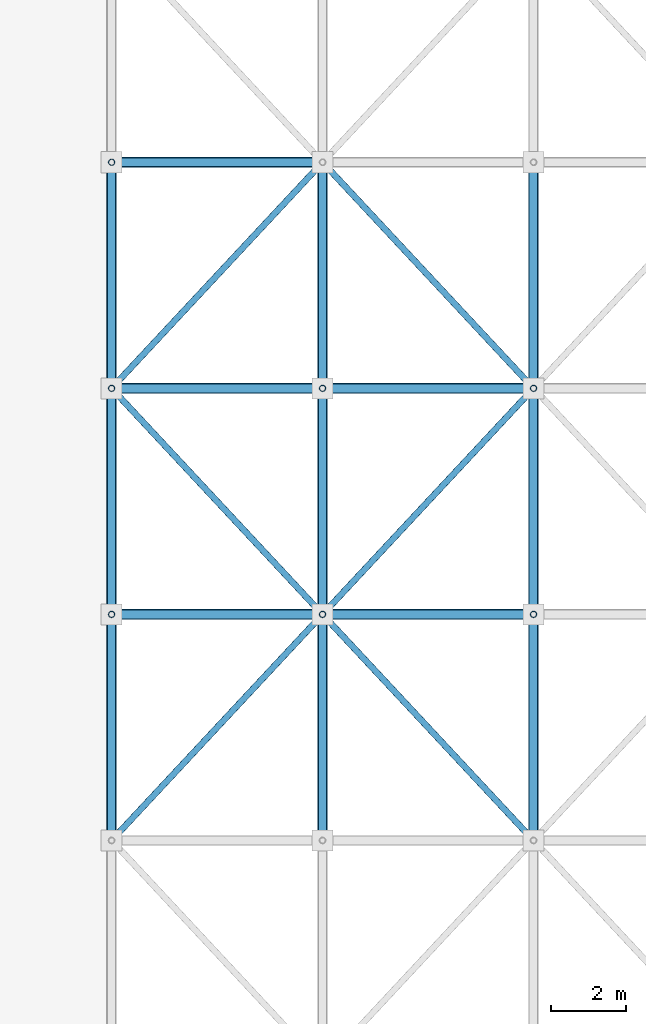
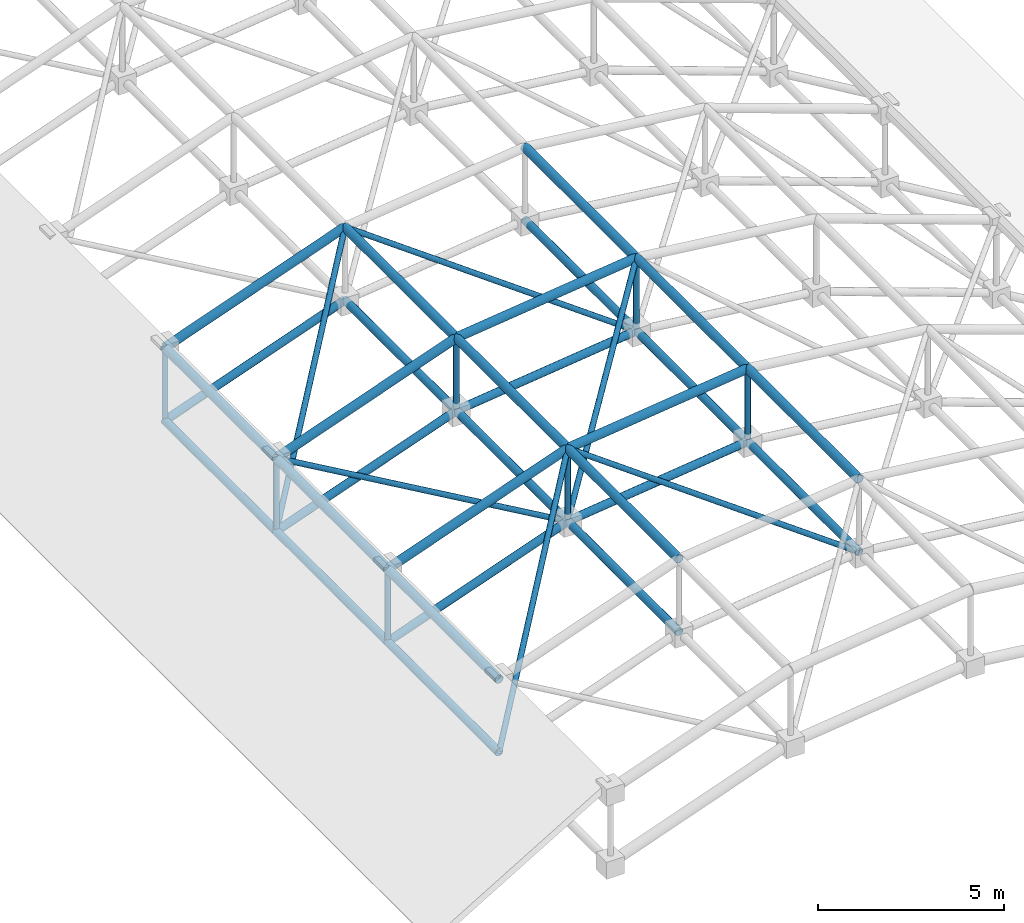
# One storey, part 87 of 140: 41 members.
"""IFC4 building model written with IfcOpenShell, lengths in metres."""

from ifc_helpers import new_model, si_unit, direction, frame, origin, origin_2d, place, context, subcontext, project, spatial, hollow_circle, extrude, material, material_profile, profile_set, type_object, element, save


model = new_model("IFC4")

# Units and contexts
model_context = context("Model", 3, precision=1e-05, world=origin(), true_north=direction((0.0, 1.0)))
body_context = subcontext(model_context, "Body", "Model", "MODEL_VIEW")
ifc_project = project(units=[si_unit("LENGTHUNIT", "METRE"), si_unit("AREAUNIT", "SQUARE_METRE"), si_unit("VOLUMEUNIT", "CUBIC_METRE"), si_unit("PLANEANGLEUNIT", "RADIAN"), si_unit("MASSUNIT", "GRAM", prefix="KILO")], contexts=[model_context])

# Site, building, storey
site_placement = place(None, origin())
site = spatial("IfcSite", under=ifc_project, at=site_placement, CompositionType="ELEMENT")
building_placement = place(site_placement, origin())
building = spatial("IfcBuilding", under=site, at=building_placement, Name="Trelvath General Hospital", CompositionType="ELEMENT")
storey_placement = place(building_placement, frame((0.0, 0.0, 16.199951171875)))
storey = spatial("IfcBuildingStorey", under=building, at=storey_placement, Name="L04", CompositionType="ELEMENT", Elevation=16.199951171875)

# Members
ifc_material_1 = material(Name="Steel S355", Category="steel")
ifc_material_profile_1 = material_profile(ifc_material_1, hollow_circle(Radius=0.122314453125, WallThickness=0.010009765625, at=origin_2d()), Name="CHS244.5x10.0")
ifc_profile_set_1 = profile_set([ifc_material_profile_1], Name="Steel S355")
member_type_1 = type_object("IfcMemberType", Name="SpaceFrameBottomChord CHS244", PredefinedType="CHORD", material=ifc_profile_set_1)
member_1_placement = place(storey_placement, frame((148.39990234375, 31.199951171875, 0.033447265625), z_axis=(0.0, 1.0, 0.0), x_axis=(-1.0, 0.0, 0.0)))
element("IfcMember", 1, at=member_1_placement, inside=storey, type_object=member_type_1, Name="Space Frame Bottom Chord Y 2-2", PredefinedType="CHORD", context=body_context, shape_type="SweptSolid", body=[
    extrude(hollow_circle(Radius=0.122314453125, WallThickness=0.010009765625, at=origin_2d()), origin(), (0.0, 0.0, 1.0), 6.0),
])
member_2_placement = place(storey_placement, frame((148.39990234375, 37.199951171875, 0.033447265625), z_axis=(0.94174376932, 0.0, 0.336331195321), x_axis=(0.0, 1.0, 0.0)))
element("IfcMember", 2, at=member_2_placement, inside=storey, type_object=member_type_1, Name="Space Frame Bottom Chord X 2-3", PredefinedType="CHORD", context=body_context, shape_type="SweptSolid", body=[
    extrude(hollow_circle(Radius=0.122314453125, WallThickness=0.010009765625, at=origin_2d()), origin(), (0.0, 0.0, 1.0), 5.946533203125),
])
member_3_placement = place(storey_placement, frame((148.39990234375, 37.199951171875, 0.033447265625), z_axis=(0.0, 1.0, 0.0), x_axis=(-1.0, 0.0, 0.0)))
element("IfcMember", 3, at=member_3_placement, inside=storey, type_object=member_type_1, Name="Space Frame Bottom Chord Y 2-3", PredefinedType="CHORD", context=body_context, shape_type="SweptSolid", body=[
    extrude(hollow_circle(Radius=0.122314453125, WallThickness=0.010009765625, at=origin_2d()), origin(), (0.0, 0.0, 1.0), 6.0),
])
member_4_placement = place(storey_placement, frame((148.39990234375, 43.199951171875, 0.033447265625), z_axis=(0.94174376932, 0.0, 0.336331195321), x_axis=(0.0, 1.0, 0.0)))
element("IfcMember", 4, at=member_4_placement, inside=storey, type_object=member_type_1, Name="Space Frame Bottom Chord X 2-4", PredefinedType="CHORD", context=body_context, shape_type="SweptSolid", body=[
    extrude(hollow_circle(Radius=0.122314453125, WallThickness=0.010009765625, at=origin_2d()), origin(), (0.0, 0.0, 1.0), 5.946533203125),
])
member_5_placement = place(storey_placement, frame((148.39990234375, 43.199951171875, 0.033447265625), z_axis=(0.0, 1.0, 0.0), x_axis=(-1.0, 0.0, 0.0)))
element("IfcMember", 5, at=member_5_placement, inside=storey, type_object=member_type_1, Name="Space Frame Bottom Chord Y 2-4", PredefinedType="CHORD", context=body_context, shape_type="SweptSolid", body=[
    extrude(hollow_circle(Radius=0.122314453125, WallThickness=0.010009765625, at=origin_2d()), origin(), (0.0, 0.0, 1.0), 6.0),
])
member_6_placement = place(storey_placement, frame((148.39990234375, 49.199951171875, 0.033447265625), z_axis=(0.94174376932, 0.0, 0.336331195321), x_axis=(0.0, 1.0, 0.0)))
element("IfcMember", 6, at=member_6_placement, inside=storey, type_object=member_type_1, Name="Space Frame Bottom Chord X 2-5", PredefinedType="CHORD", context=body_context, shape_type="SweptSolid", body=[
    extrude(hollow_circle(Radius=0.122314453125, WallThickness=0.010009765625, at=origin_2d()), origin(), (0.0, 0.0, 1.0), 5.946533203125),
])
member_7_placement = place(storey_placement, frame((154.0, 31.199951171875, 2.033447265625), z_axis=(0.0, 1.0, 0.0), x_axis=(-1.0, 0.0, 0.0)))
element("IfcMember", 7, at=member_7_placement, inside=storey, type_object=member_type_1, Name="Space Frame Bottom Chord Y 3-2", PredefinedType="CHORD", context=body_context, shape_type="SweptSolid", body=[
    extrude(hollow_circle(Radius=0.122314453125, WallThickness=0.010009765625, at=origin_2d()), origin(), (0.0, 0.0, 1.0), 6.0),
])
member_8_placement = place(storey_placement, frame((154.0, 37.199951171875, 2.033447265625), z_axis=(0.99299190343, 0.0, 0.118182400225), x_axis=(0.0, 1.0, 0.0)))
element("IfcMember", 8, at=member_8_placement, inside=storey, type_object=member_type_1, Name="Space Frame Bottom Chord X 3-3", PredefinedType="CHORD", context=body_context, shape_type="SweptSolid", body=[
    extrude(hollow_circle(Radius=0.122314453125, WallThickness=0.010009765625, at=origin_2d()), origin(), (0.0, 0.0, 1.0), 5.6396484375),
])
member_9_placement = place(storey_placement, frame((154.0, 37.199951171875, 2.033447265625), z_axis=(0.0, 1.0, 0.0), x_axis=(-1.0, 0.0, 0.0)))
element("IfcMember", 9, at=member_9_placement, inside=storey, type_object=member_type_1, Name="Space Frame Bottom Chord Y 3-3", PredefinedType="CHORD", context=body_context, shape_type="SweptSolid", body=[
    extrude(hollow_circle(Radius=0.122314453125, WallThickness=0.010009765625, at=origin_2d()), origin(), (0.0, 0.0, 1.0), 6.0),
])
member_10_placement = place(storey_placement, frame((154.0, 43.199951171875, 2.033447265625), z_axis=(0.99299190343, 0.0, 0.118182400225), x_axis=(0.0, 1.0, 0.0)))
element("IfcMember", 10, at=member_10_placement, inside=storey, type_object=member_type_1, Name="Space Frame Bottom Chord X 3-4", PredefinedType="CHORD", context=body_context, shape_type="SweptSolid", body=[
    extrude(hollow_circle(Radius=0.122314453125, WallThickness=0.010009765625, at=origin_2d()), origin(), (0.0, 0.0, 1.0), 5.6396484375),
])
for number, where, z_axis, x_axis, name in (
    (11, (154.0, 43.199951171875, 2.033447265625), (0.0, 1.0, 0.0), (-1.0, 0.0, 0.0), "Space Frame Bottom Chord Y 3-4"),
    (12, (159.60009765625, 31.199951171875, 2.699951171875), (0.0, 1.0, 0.0), (-1.0, 0.0, 0.0), "Space Frame Bottom Chord Y 4-2"),
    (13, (159.60009765625, 37.199951171875, 2.699951171875), (0.0, 1.0, 0.0), (-1.0, 0.0, 0.0), "Space Frame Bottom Chord Y 4-3"),
    (14, (159.60009765625, 43.199951171875, 2.699951171875), (0.0, 1.0, 0.0), (-1.0, 0.0, 0.0), "Space Frame Bottom Chord Y 4-4"),
):
    element("IfcMember", number, at=place(storey_placement, frame(where, z_axis=z_axis, x_axis=x_axis)), inside=storey, type_object=member_type_1, Name=name, PredefinedType="CHORD", context=body_context, shape_type="SweptSolid", body=[
        extrude(hollow_circle(Radius=0.122314453125, WallThickness=0.010009765625, at=origin_2d()), origin(), (0.0, 0.0, 1.0), 6.0),
    ])
ifc_material_2 = material(Name="Steel S355", Category="steel")
ifc_material_profile_2 = material_profile(ifc_material_2, hollow_circle(Radius=0.084228515625, WallThickness=0.008056640625, at=origin_2d()), Name="CHS168.3x8.0")
ifc_profile_set_2 = profile_set([ifc_material_profile_2], Name="Steel S355")
member_type_2 = type_object("IfcMemberType", Name="SpaceFrameDiagStd CHS168", PredefinedType="BRACE", material=ifc_profile_set_2)
member_11_placement = place(storey_placement, frame((148.39990234375, 31.199951171875, 0.033447265625), z_axis=(0.601361165456, 0.644304298642, 0.472479332281), x_axis=(-0.731049333052, 0.682324609438, 0.0)))
element("IfcMember", 15, at=member_11_placement, inside=storey, type_object=member_type_2, Name="Space Frame Web Diagonal A 2-2", PredefinedType="BRACE", context=body_context, shape_type="SweptSolid", body=[
    extrude(hollow_circle(Radius=0.084228515625, WallThickness=0.008056640625, at=origin_2d()), origin(), (0.0, 0.0, 1.0), 9.312255859375),
])
member_12_placement = place(storey_placement, frame((148.39990234375, 37.199951171875, 0.033447265625), z_axis=(0.0, 0.0, 1.0), x_axis=(1.0, 0.0, 0.0)))
element("IfcMember", 16, at=member_12_placement, inside=storey, type_object=member_type_2, Name="Space Frame Web Post 2-3", PredefinedType="BRACE", context=body_context, shape_type="SweptSolid", body=[
    extrude(hollow_circle(Radius=0.084228515625, WallThickness=0.008056640625, at=origin_2d()), origin(), (0.0, 0.0, 1.0), 2.39990234375),
])
member_13_placement = place(storey_placement, frame((154.0, 37.199951171875, 2.033447265625), z_axis=(-0.681516095791, 0.730183083536, 0.048666987745), x_axis=(-0.731049333052, -0.682324609438, 0.0)))
element("IfcMember", 17, at=member_13_placement, inside=storey, type_object=member_type_2, Name="Space Frame Web Diagonal B 2-3", PredefinedType="BRACE", context=body_context, shape_type="SweptSolid", body=[
    extrude(hollow_circle(Radius=0.084228515625, WallThickness=0.008056640625, at=origin_2d()), origin(), (0.0, 0.0, 1.0), 8.217041015625),
])
member_14_placement = place(storey_placement, frame((148.39990234375, 43.199951171875, 0.033447265625), z_axis=(0.0, 0.0, 1.0), x_axis=(1.0, 0.0, 0.0)))
element("IfcMember", 18, at=member_14_placement, inside=storey, type_object=member_type_2, Name="Space Frame Web Post 2-4", PredefinedType="BRACE", context=body_context, shape_type="SweptSolid", body=[
    extrude(hollow_circle(Radius=0.084228515625, WallThickness=0.008056640625, at=origin_2d()), origin(), (0.0, 0.0, 1.0), 2.39990234375),
])
member_15_placement = place(storey_placement, frame((148.39990234375, 43.199951171875, 0.033447265625), z_axis=(0.601361165456, 0.644304298642, 0.472479332281), x_axis=(-0.731049333052, 0.682324609438, 0.0)))
element("IfcMember", 19, at=member_15_placement, inside=storey, type_object=member_type_2, Name="Space Frame Web Diagonal A 2-4", PredefinedType="BRACE", context=body_context, shape_type="SweptSolid", body=[
    extrude(hollow_circle(Radius=0.084228515625, WallThickness=0.008056640625, at=origin_2d()), origin(), (0.0, 0.0, 1.0), 9.312255859375),
])
member_16_placement = place(storey_placement, frame((148.39990234375, 49.199951171875, 0.033447265625), z_axis=(0.0, 0.0, 1.0), x_axis=(1.0, 0.0, 0.0)))
element("IfcMember", 20, at=member_16_placement, inside=storey, type_object=member_type_2, Name="Space Frame Web Post 2-5", PredefinedType="BRACE", context=body_context, shape_type="SweptSolid", body=[
    extrude(hollow_circle(Radius=0.084228515625, WallThickness=0.008056640625, at=origin_2d()), origin(), (0.0, 0.0, 1.0), 2.39990234375),
])
member_17_placement = place(storey_placement, frame((159.60009765625, 31.199951171875, 2.699951171875), z_axis=(-0.667597800302, 0.715270884133, 0.206641572157), x_axis=(-0.731049333052, -0.682324609438, 0.0)))
element("IfcMember", 21, at=member_17_placement, inside=storey, type_object=member_type_2, Name="Space Frame Web Diagonal B 3-2", PredefinedType="BRACE", context=body_context, shape_type="SweptSolid", body=[
    extrude(hollow_circle(Radius=0.084228515625, WallThickness=0.008056640625, at=origin_2d()), origin(), (0.0, 0.0, 1.0), 8.388427734375),
])
member_18_placement = place(storey_placement, frame((154.0, 37.199951171875, 2.033447265625), z_axis=(0.0, 0.0, 1.0), x_axis=(1.0, 0.0, 0.0)))
element("IfcMember", 22, at=member_18_placement, inside=storey, type_object=member_type_2, Name="Space Frame Web Post 3-3", PredefinedType="BRACE", context=body_context, shape_type="SweptSolid", body=[
    extrude(hollow_circle(Radius=0.084228515625, WallThickness=0.008056640625, at=origin_2d()), origin(), (0.0, 0.0, 1.0), 2.39990234375),
])
member_19_placement = place(storey_placement, frame((154.0, 37.199951171875, 2.033447265625), z_axis=(0.639164628842, 0.684807303096, 0.350010763924), x_axis=(-0.731049333052, 0.682324609438, 0.0)))
element("IfcMember", 23, at=member_19_placement, inside=storey, type_object=member_type_2, Name="Space Frame Web Diagonal A 3-3", PredefinedType="BRACE", context=body_context, shape_type="SweptSolid", body=[
    extrude(hollow_circle(Radius=0.084228515625, WallThickness=0.008056640625, at=origin_2d()), origin(), (0.0, 0.0, 1.0), 8.761474609375),
])
member_20_placement = place(storey_placement, frame((154.0, 43.199951171875, 2.033447265625), z_axis=(0.0, 0.0, 1.0), x_axis=(1.0, 0.0, 0.0)))
element("IfcMember", 24, at=member_20_placement, inside=storey, type_object=member_type_2, Name="Space Frame Web Post 3-4", PredefinedType="BRACE", context=body_context, shape_type="SweptSolid", body=[
    extrude(hollow_circle(Radius=0.084228515625, WallThickness=0.008056640625, at=origin_2d()), origin(), (0.0, 0.0, 1.0), 2.39990234375),
])
member_21_placement = place(storey_placement, frame((159.60009765625, 43.199951171875, 2.699951171875), z_axis=(-0.667597800302, 0.715270884133, 0.206641572157), x_axis=(-0.731049333052, -0.682324609438, 0.0)))
element("IfcMember", 25, at=member_21_placement, inside=storey, type_object=member_type_2, Name="Space Frame Web Diagonal B 3-4", PredefinedType="BRACE", context=body_context, shape_type="SweptSolid", body=[
    extrude(hollow_circle(Radius=0.084228515625, WallThickness=0.008056640625, at=origin_2d()), origin(), (0.0, 0.0, 1.0), 8.388427734375),
])
for number, where, z_axis, x_axis, name in (
    (26, (159.60009765625, 37.199951171875, 2.699951171875), (0.0, 0.0, 1.0), (1.0, 0.0, 0.0), "Space Frame Web Post 4-3"),
    (27, (159.60009765625, 43.199951171875, 2.699951171875), (0.0, 0.0, 1.0), (1.0, 0.0, 0.0), "Space Frame Web Post 4-4"),
):
    element("IfcMember", number, at=place(storey_placement, frame(where, z_axis=z_axis, x_axis=x_axis)), inside=storey, type_object=member_type_2, Name=name, PredefinedType="BRACE", context=body_context, shape_type="SweptSolid", body=[
        extrude(hollow_circle(Radius=0.084228515625, WallThickness=0.008056640625, at=origin_2d()), origin(), (0.0, 0.0, 1.0), 2.400146484375),
    ])
ifc_material_3 = material(Name="Steel S355", Category="steel")
ifc_material_profile_3 = material_profile(ifc_material_3, hollow_circle(Radius=0.136474609375, WallThickness=0.012451171875, at=origin_2d()), Name="CHS273.0x12.5")
ifc_profile_set_3 = profile_set([ifc_material_profile_3], Name="Steel S355")
member_type_3 = type_object("IfcMemberType", Name="SpaceFrameTopChord CHS273", PredefinedType="CHORD", material=ifc_profile_set_3)
member_22_placement = place(storey_placement, frame((148.39990234375, 31.199951171875, 2.433349609375), z_axis=(0.0, 1.0, 0.0), x_axis=(-1.0, 0.0, 0.0)))
element("IfcMember", 28, at=member_22_placement, inside=storey, type_object=member_type_3, Name="Space Frame Top Chord Y 2-2", PredefinedType="CHORD", context=body_context, shape_type="SweptSolid", body=[
    extrude(hollow_circle(Radius=0.136474609375, WallThickness=0.012451171875, at=origin_2d()), origin(), (0.0, 0.0, 1.0), 6.0),
])
member_23_placement = place(storey_placement, frame((148.39990234375, 37.199951171875, 2.433349609375), z_axis=(0.94174376932, 0.0, 0.336331195321), x_axis=(0.0, 1.0, 0.0)))
element("IfcMember", 29, at=member_23_placement, inside=storey, type_object=member_type_3, Name="Space Frame Top Chord X 2-3", PredefinedType="CHORD", context=body_context, shape_type="SweptSolid", body=[
    extrude(hollow_circle(Radius=0.136474609375, WallThickness=0.012451171875, at=origin_2d()), origin(), (0.0, 0.0, 1.0), 5.946533203125),
])
member_24_placement = place(storey_placement, frame((148.39990234375, 37.199951171875, 2.433349609375), z_axis=(0.0, 1.0, 0.0), x_axis=(-1.0, 0.0, 0.0)))
element("IfcMember", 30, at=member_24_placement, inside=storey, type_object=member_type_3, Name="Space Frame Top Chord Y 2-3", PredefinedType="CHORD", context=body_context, shape_type="SweptSolid", body=[
    extrude(hollow_circle(Radius=0.136474609375, WallThickness=0.012451171875, at=origin_2d()), origin(), (0.0, 0.0, 1.0), 6.0),
])
member_25_placement = place(storey_placement, frame((148.39990234375, 43.199951171875, 2.433349609375), z_axis=(0.94174376932, 0.0, 0.336331195321), x_axis=(0.0, 1.0, 0.0)))
element("IfcMember", 31, at=member_25_placement, inside=storey, type_object=member_type_3, Name="Space Frame Top Chord X 2-4", PredefinedType="CHORD", context=body_context, shape_type="SweptSolid", body=[
    extrude(hollow_circle(Radius=0.136474609375, WallThickness=0.012451171875, at=origin_2d()), origin(), (0.0, 0.0, 1.0), 5.946533203125),
])
member_26_placement = place(storey_placement, frame((148.39990234375, 43.199951171875, 2.433349609375), z_axis=(0.0, 1.0, 0.0), x_axis=(-1.0, 0.0, 0.0)))
element("IfcMember", 32, at=member_26_placement, inside=storey, type_object=member_type_3, Name="Space Frame Top Chord Y 2-4", PredefinedType="CHORD", context=body_context, shape_type="SweptSolid", body=[
    extrude(hollow_circle(Radius=0.136474609375, WallThickness=0.012451171875, at=origin_2d()), origin(), (0.0, 0.0, 1.0), 6.0),
])
member_27_placement = place(storey_placement, frame((148.39990234375, 49.199951171875, 2.433349609375), z_axis=(0.94174376932, 0.0, 0.336331195321), x_axis=(0.0, 1.0, 0.0)))
element("IfcMember", 33, at=member_27_placement, inside=storey, type_object=member_type_3, Name="Space Frame Top Chord X 2-5", PredefinedType="CHORD", context=body_context, shape_type="SweptSolid", body=[
    extrude(hollow_circle(Radius=0.136474609375, WallThickness=0.012451171875, at=origin_2d()), origin(), (0.0, 0.0, 1.0), 5.946533203125),
])
member_28_placement = place(storey_placement, frame((154.0, 31.199951171875, 4.433349609375), z_axis=(0.0, 1.0, 0.0), x_axis=(-1.0, 0.0, 0.0)))
element("IfcMember", 34, at=member_28_placement, inside=storey, type_object=member_type_3, Name="Space Frame Top Chord Y 3-2", PredefinedType="CHORD", context=body_context, shape_type="SweptSolid", body=[
    extrude(hollow_circle(Radius=0.136474609375, WallThickness=0.012451171875, at=origin_2d()), origin(), (0.0, 0.0, 1.0), 6.0),
])
member_29_placement = place(storey_placement, frame((154.0, 37.199951171875, 4.433349609375), z_axis=(0.992986822246, 0.0, 0.118225085516), x_axis=(0.0, 1.0, 0.0)))
element("IfcMember", 35, at=member_29_placement, inside=storey, type_object=member_type_3, Name="Space Frame Top Chord X 3-3", PredefinedType="CHORD", context=body_context, shape_type="SweptSolid", body=[
    extrude(hollow_circle(Radius=0.136474609375, WallThickness=0.012451171875, at=origin_2d()), origin(), (0.0, 0.0, 1.0), 5.6396484375),
])
member_30_placement = place(storey_placement, frame((154.0, 37.199951171875, 4.433349609375), z_axis=(0.0, 1.0, 0.0), x_axis=(-1.0, 0.0, 0.0)))
element("IfcMember", 36, at=member_30_placement, inside=storey, type_object=member_type_3, Name="Space Frame Top Chord Y 3-3", PredefinedType="CHORD", context=body_context, shape_type="SweptSolid", body=[
    extrude(hollow_circle(Radius=0.136474609375, WallThickness=0.012451171875, at=origin_2d()), origin(), (0.0, 0.0, 1.0), 6.0),
])
member_31_placement = place(storey_placement, frame((154.0, 43.199951171875, 4.433349609375), z_axis=(0.992986822246, 0.0, 0.118225085516), x_axis=(0.0, 1.0, 0.0)))
element("IfcMember", 37, at=member_31_placement, inside=storey, type_object=member_type_3, Name="Space Frame Top Chord X 3-4", PredefinedType="CHORD", context=body_context, shape_type="SweptSolid", body=[
    extrude(hollow_circle(Radius=0.136474609375, WallThickness=0.012451171875, at=origin_2d()), origin(), (0.0, 0.0, 1.0), 5.6396484375),
])
for number, where, z_axis, x_axis, name in (
    (38, (154.0, 43.199951171875, 4.433349609375), (0.0, 1.0, 0.0), (-1.0, 0.0, 0.0), "Space Frame Top Chord Y 3-4"),
    (39, (159.60009765625, 31.199951171875, 5.10009765625), (0.0, 1.0, 0.0), (-1.0, 0.0, 0.0), "Space Frame Top Chord Y 4-2"),
    (40, (159.60009765625, 37.199951171875, 5.10009765625), (0.0, 1.0, 0.0), (-1.0, 0.0, 0.0), "Space Frame Top Chord Y 4-3"),
    (41, (159.60009765625, 43.199951171875, 5.10009765625), (0.0, 1.0, 0.0), (-1.0, 0.0, 0.0), "Space Frame Top Chord Y 4-4"),
):
    element("IfcMember", number, at=place(storey_placement, frame(where, z_axis=z_axis, x_axis=x_axis)), inside=storey, type_object=member_type_3, Name=name, PredefinedType="CHORD", context=body_context, shape_type="SweptSolid", body=[
        extrude(hollow_circle(Radius=0.136474609375, WallThickness=0.012451171875, at=origin_2d()), origin(), (0.0, 0.0, 1.0), 6.0),
    ])

save(model, "model.ifc")
